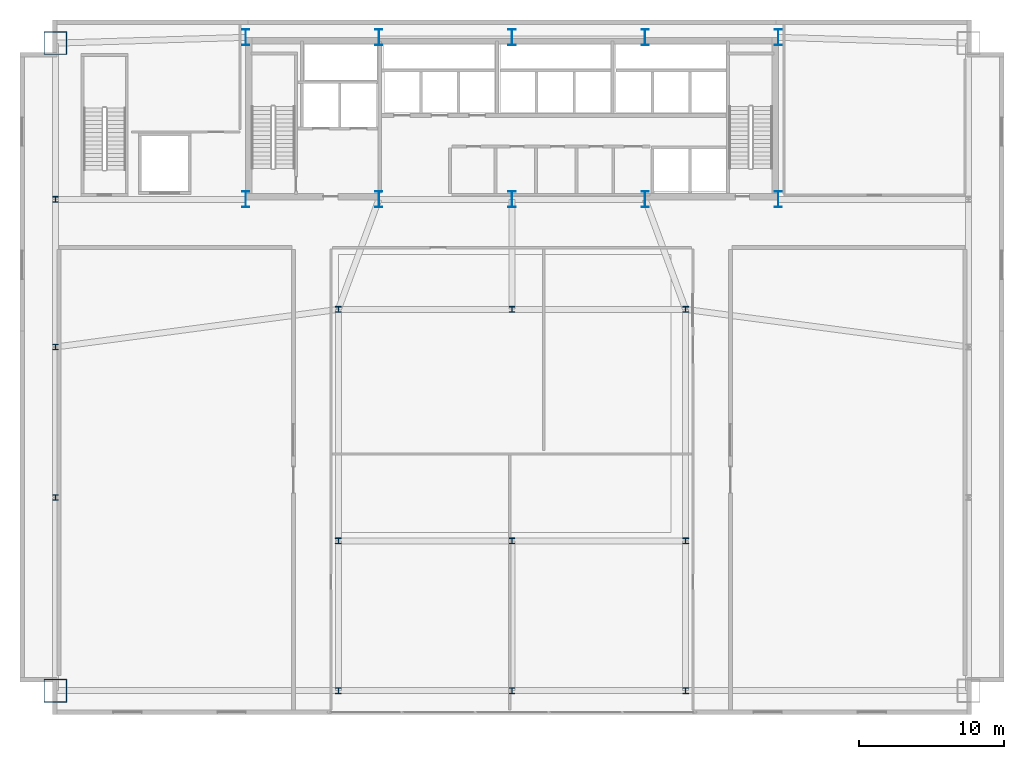
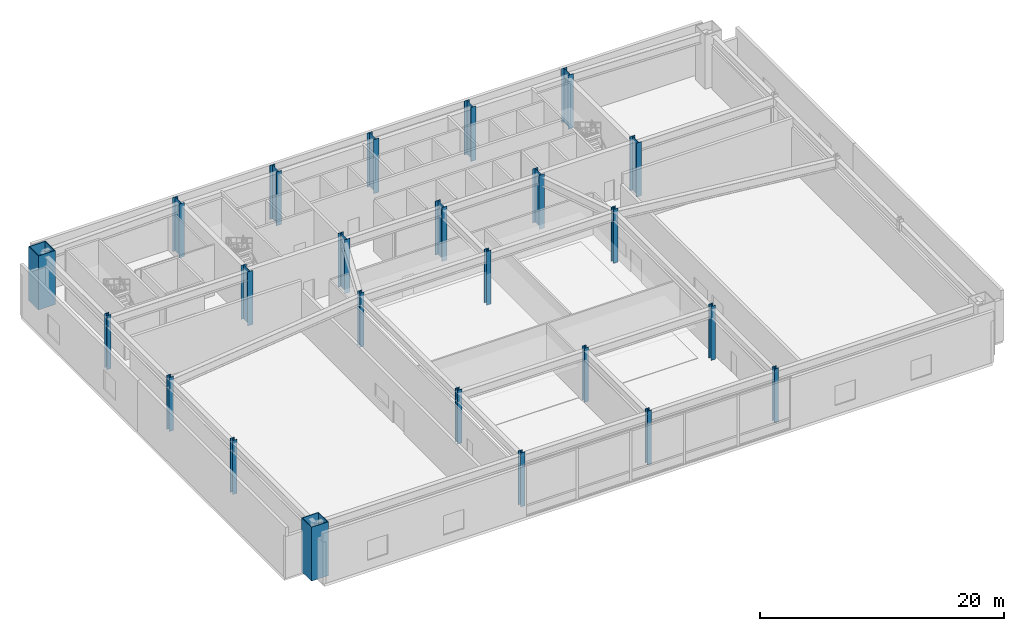
# One storey, part 1 of 12: 24 columns.
"""IFC4 building model written with IfcOpenShell, lengths in metres."""

from ifc_helpers import new_model, si_unit, direction, frame, origin, origin_2d, place, context, subcontext, project, spatial, hollow_rectangle, i_section, extrude, source, transform, mapped, material, material_profile, profile_set, type_object, type_shapes, element, save


model = new_model("IFC4")

# Units and contexts
model_context = context("Model", 3, precision=1e-05, world=origin(), true_north=direction((0.0, 1.0)))
body_context = subcontext(model_context, "Body", "Model", "MODEL_VIEW")
ifc_project = project(units=[si_unit("LENGTHUNIT", "METRE"), si_unit("AREAUNIT", "SQUARE_METRE"), si_unit("VOLUMEUNIT", "CUBIC_METRE"), si_unit("PLANEANGLEUNIT", "RADIAN"), si_unit("MASSUNIT", "GRAM", prefix="KILO")], contexts=[model_context])

# Site, building, storey
site_placement = place(None, origin())
site = spatial("IfcSite", under=ifc_project, at=site_placement, CompositionType="ELEMENT")
building_placement = place(site_placement, origin())
building = spatial("IfcBuilding", under=site, at=building_placement, Name="Varnel Quay Broadcast Tower", CompositionType="ELEMENT")
storey_placement = place(building_placement, frame((0.0, 0.0, 11.39990234375)))
storey = spatial("IfcBuildingStorey", under=building, at=storey_placement, Name="L02", CompositionType="ELEMENT", Elevation=11.39990234375)

# Columns
ifc_material_1 = material(Name="Structural Steel CSA G40.21 350WT", Category="steel")
ifc_material_profile_1 = material_profile(ifc_material_1, i_section(OverallWidth=0.5, OverallDepth=1.10009765625, WebThickness=0.01806640625, FlangeThickness=0.031982421875, FilletRadius=0.01806640625, at=origin_2d()), Name="WWF1100X418")
ifc_profile_set_1 = profile_set([ifc_material_profile_1], Name="Structural Steel CSA G40.21 350WT")
column_type_1 = type_object("IfcColumnType", Name="Col_WWF1100X418", PredefinedType="COLUMN", material=ifc_profile_set_1)
shared_shape_1 = source(origin(), body_context, "Body", "SweptSolid", [
    extrude(i_section(OverallWidth=0.5, OverallDepth=1.10009765625, WebThickness=0.01806640625, FlangeThickness=0.031982421875, FilletRadius=0.01806640625, at=origin_2d()), origin(), (0.0, 0.0, 1.0), 5.400146484375),
])
type_shapes(column_type_1, [shared_shape_1])
for number, where, z_axis, x_axis, name in (
    (1, (15.60009765625, 35.60009765625, 0.0), (0.0, 0.0, 1.0), (1.0, 0.0, 0.0), "L02 Column CC-S1"),
    (2, (15.60009765625, 46.800048828125, 0.0), (0.0, 0.0, 1.0), (1.0, 0.0, 0.0), "L02 Column CC-N1"),
    (3, (24.800048828125, 35.60009765625, 0.0), (0.0, 0.0, 1.0), (1.0, 0.0, 0.0), "L02 Column CC-S2"),
    (4, (24.800048828125, 46.800048828125, 0.0), (0.0, 0.0, 1.0), (1.0, 0.0, 0.0), "L02 Column CC-N2"),
    (5, (34.0, 35.60009765625, 0.0), (0.0, 0.0, 1.0), (1.0, 0.0, 0.0), "L02 Column CC-S3"),
    (6, (34.0, 46.800048828125, 0.0), (0.0, 0.0, 1.0), (1.0, 0.0, 0.0), "L02 Column CC-N3"),
    (7, (43.199951171875, 35.60009765625, 0.0), (0.0, 0.0, 1.0), (1.0, 0.0, 0.0), "L02 Column CC-S4"),
    (8, (43.199951171875, 46.800048828125, 0.0), (0.0, 0.0, 1.0), (1.0, 0.0, 0.0), "L02 Column CC-N4"),
    (9, (52.39990234375, 35.60009765625, 0.0), (0.0, 0.0, 1.0), (1.0, 0.0, 0.0), "L02 Column CC-S5"),
    (10, (52.39990234375, 46.800048828125, 0.0), (0.0, 0.0, 1.0), (1.0, 0.0, 0.0), "L02 Column CC-N5"),
):
    element("IfcColumn", number, at=place(storey_placement, frame(where, z_axis=z_axis, x_axis=x_axis)), inside=storey, type_object=column_type_1, Name=name, PredefinedType="COLUMN", context=body_context, shape_type="MappedRepresentation", body=[
        mapped(shared_shape_1, transform((0.0, 0.0, 0.0), x_axis=(1.0, 0.0, 0.0), y_axis=(0.0, 1.0, 0.0), z_axis=(0.0, 0.0, 1.0), scale=1.0)),
    ])
ifc_material_profile_2 = material_profile(ifc_material_1, hollow_rectangle(XDim=1.60009765625, YDim=1.60009765625, WallThickness=0.06005859375, at=origin_2d()), Name="BOX1600X1600X60")
ifc_profile_set_2 = profile_set([ifc_material_profile_2], Name="Structural Steel CSA G40.21 350WT")
column_type_2 = type_object("IfcColumnType", Name="Col_BOX1600X1600X60", PredefinedType="COLUMN", material=ifc_profile_set_2)
shared_shape_2 = source(origin(), body_context, "Body", "SweptSolid", [
    extrude(hollow_rectangle(XDim=1.60009765625, YDim=1.60009765625, WallThickness=0.06005859375, at=origin_2d()), origin(), (0.0, 0.0, 1.0), 5.400146484375),
])
type_shapes(column_type_2, [shared_shape_2])
for number, where, z_axis, x_axis, name in (
    (11, (2.449951171875, 1.64990234375, 0.0), (0.0, 0.0, 1.0), (1.0, 0.0, 0.0), "L02 Column MC-SW"),
    (12, (2.449951171875, 46.39990234375, 0.0), (0.0, 0.0, 1.0), (1.0, 0.0, 0.0), "L02 Column MC-NW"),
):
    element("IfcColumn", number, at=place(storey_placement, frame(where, z_axis=z_axis, x_axis=x_axis)), inside=storey, type_object=column_type_2, Name=name, PredefinedType="COLUMN", context=body_context, shape_type="MappedRepresentation", body=[
        mapped(shared_shape_2, transform((0.0, 0.0, 0.0), x_axis=(1.0, 0.0, 0.0), y_axis=(0.0, 1.0, 0.0), z_axis=(0.0, 0.0, 1.0), scale=1.0)),
    ])
ifc_material_2 = material(Name="Structural Steel CSA G40.21 350W", Category="steel")
ifc_material_profile_3 = material_profile(ifc_material_2, i_section(OverallWidth=0.404052734375, OverallDepth=0.406982421875, WebThickness=0.027099609375, FlangeThickness=0.043701171875, FilletRadius=0.01806640625, at=origin_2d()), Name="W360X347")
ifc_profile_set_3 = profile_set([ifc_material_profile_3], Name="Structural Steel CSA G40.21 350W")
column_type_3 = type_object("IfcColumnType", Name="Col_W360X347", PredefinedType="COLUMN", material=ifc_profile_set_3)
shared_shape_3 = source(origin(), body_context, "Body", "SweptSolid", [
    extrude(i_section(OverallWidth=0.404052734375, OverallDepth=0.406982421875, WebThickness=0.027099609375, FlangeThickness=0.043701171875, FilletRadius=0.01806640625, at=origin_2d()), origin(), (0.0, 0.0, 1.0), 5.400146484375),
])
type_shapes(column_type_3, [shared_shape_3])
for number, where, z_axis, x_axis, name in (
    (13, (22.0, 1.64990234375, 0.0), (0.0, 0.0, 1.0), (1.0, 0.0, 0.0), "L02 Column PC-01"),
    (14, (34.0, 1.64990234375, 0.0), (0.0, 0.0, 1.0), (1.0, 0.0, 0.0), "L02 Column PC-02"),
    (15, (46.0, 1.64990234375, 0.0), (0.0, 0.0, 1.0), (1.0, 0.0, 0.0), "L02 Column PC-03"),
    (16, (22.0, 12.0, 0.0), (0.0, 0.0, 1.0), (1.0, 0.0, 0.0), "L02 Column PC-04"),
    (17, (34.0, 12.0, 0.0), (0.0, 0.0, 1.0), (1.0, 0.0, 0.0), "L02 Column PC-04B"),
    (18, (46.0, 12.0, 0.0), (0.0, 0.0, 1.0), (1.0, 0.0, 0.0), "L02 Column PC-05"),
    (19, (22.0, 28.0, 0.0), (0.0, 0.0, 1.0), (1.0, 0.0, 0.0), "L02 Column PC-06"),
    (20, (34.0, 28.0, 0.0), (0.0, 0.0, 1.0), (1.0, 0.0, 0.0), "L02 Column PC-07"),
    (21, (46.0, 28.0, 0.0), (0.0, 0.0, 1.0), (1.0, 0.0, 0.0), "L02 Column PC-08"),
    (22, (2.449951171875, 15.0, 0.0), (0.0, 0.0, 1.0), (1.0, 0.0, 0.0), "L02 Column PC-09"),
    (23, (2.449951171875, 25.39990234375, 0.0), (0.0, 0.0, 1.0), (1.0, 0.0, 0.0), "L02 Column PC-10"),
    (24, (2.449951171875, 35.60009765625, 0.0), (0.0, 0.0, 1.0), (1.0, 0.0, 0.0), "L02 Column PC-11"),
):
    element("IfcColumn", number, at=place(storey_placement, frame(where, z_axis=z_axis, x_axis=x_axis)), inside=storey, type_object=column_type_3, Name=name, PredefinedType="COLUMN", context=body_context, shape_type="MappedRepresentation", body=[
        mapped(shared_shape_3, transform((0.0, 0.0, 0.0), x_axis=(1.0, 0.0, 0.0), y_axis=(0.0, 1.0, 0.0), z_axis=(0.0, 0.0, 1.0), scale=1.0)),
    ])

save(model, "model.ifc")
